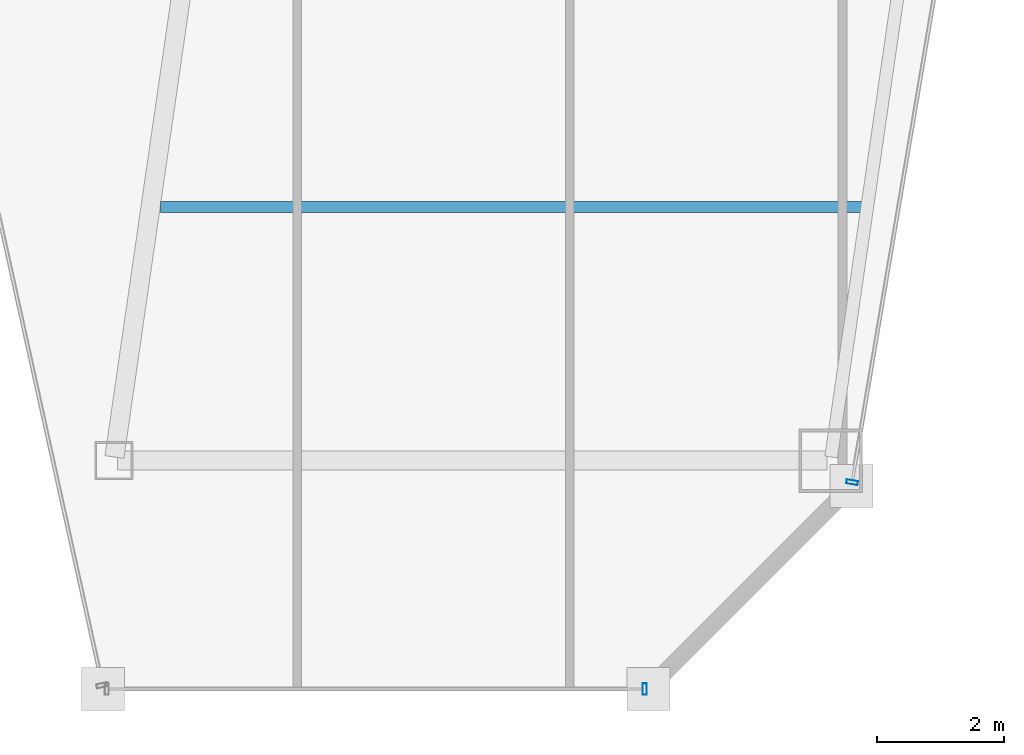
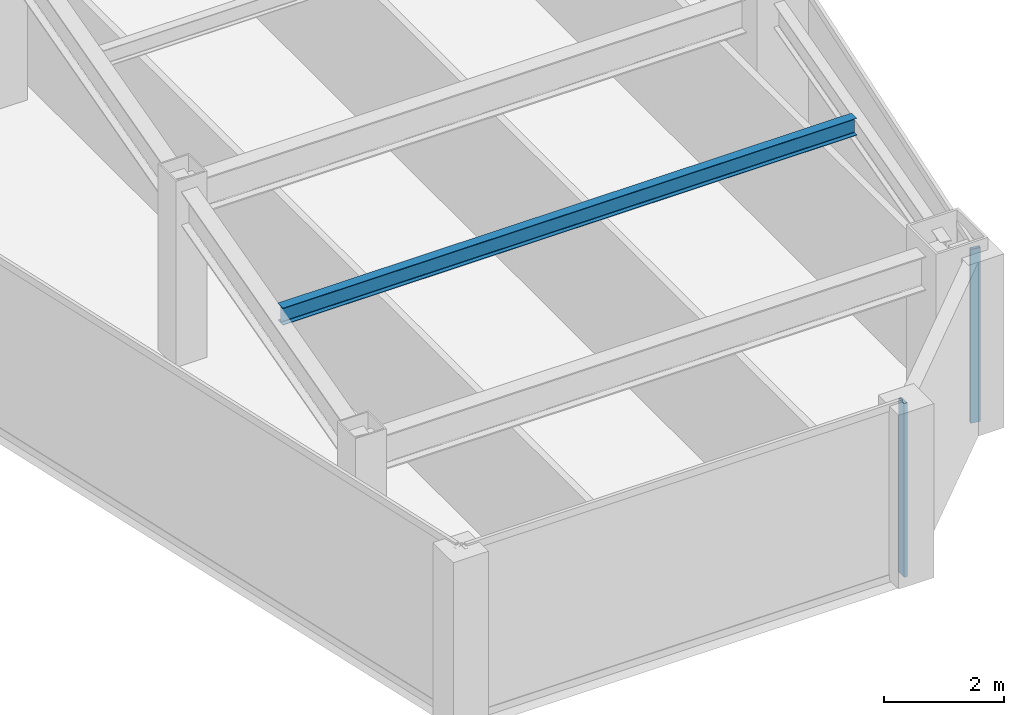
# One storey, part 17 of 35: 2 members, 1 beam, 2 elements without a shape of their own.
"""IFC4 building model written with IfcOpenShell, lengths in metres."""

import ifcopenshell
import ifcopenshell.guid

model = None  # the IFC model being written
_history = None  # IfcOwnerHistory: only IFC2X3 demands one
_inside = {}  # id of a spatial element -> (the spatial element, [elements in it])
_under = {}  # id of a project, library or spatial element -> (it, [spatial elements below it])
_declared = {}  # id of a project -> (the project, [libraries it declares])
_typed = {}  # id of a type object -> (the type object, [elements of that type])
_made_of = {}  # id of a material, layer set ... -> (it, [elements and type objects made of it])


def new_model(schema):
    """Start an empty IFC model of exactly this schema.

    Asked for "IFC4X3", IfcOpenShell would pick the latest addendum, in which some entities
    have other attributes; the version numbers below select the first issue.
    IFC2X3 requires an IfcOwnerHistory on every rooted entity: one is made here for all.
    """
    global model, _history
    if schema == "IFC4X3":
        model = ifcopenshell.file(schema_version=(4, 3, 0, 0))
    else:
        model = ifcopenshell.file(schema=schema)
    _inside.clear()
    _under.clear()
    _declared.clear()
    _typed.clear()
    _made_of.clear()
    _history = None
    if model.schema == "IFC2X3":
        org = make("IfcOrganization", Name="unknown")
        user = make(
            "IfcPersonAndOrganization",
            ThePerson=make("IfcPerson", FamilyName="unknown"),
            TheOrganization=org,
        )
        app = make(
            "IfcApplication",
            ApplicationDeveloper=org,
            Version="unknown",
            ApplicationFullName="unknown",
            ApplicationIdentifier="unknown",
        )
        _history = make(
            "IfcOwnerHistory",
            OwningUser=user,
            OwningApplication=app,
            ChangeAction="ADDED",
            CreationDate=0,
        )
    return model


def make(cls, **values):
    """One entity of the class cls with the attributes given. An attribute that is None is left unset."""
    return model.create_entity(
        cls, **{name: value for name, value in values.items() if value is not None}
    )


def rooted(cls, **values):
    """An entity with a GlobalId (a new one), such as an element, a storey or a relation."""
    return make(cls, GlobalId=ifcopenshell.guid.new(), OwnerHistory=_history, **values)


def si_unit(unit_type, name, prefix=None):
    """IfcSIUnit, for example si_unit("LENGTHUNIT", "METRE", prefix="MILLI")."""
    return make("IfcSIUnit", UnitType=unit_type, Prefix=prefix, Name=name)


def assignment(units):
    """IfcUnitAssignment: the units of a project."""
    return None if units is None else make("IfcUnitAssignment", Units=units)


def point(xyz):
    """IfcCartesianPoint."""
    return None if xyz is None else make("IfcCartesianPoint", Coordinates=xyz)


def direction(xyz):
    """IfcDirection."""
    return None if xyz is None else make("IfcDirection", DirectionRatios=xyz)


def frame(location, z_axis=None, x_axis=None):
    """IfcAxis2Placement3D, a coordinate frame: its origin and axes. An axis left out is left unset."""
    return make(
        "IfcAxis2Placement3D",
        Location=point(location),
        Axis=direction(z_axis),
        RefDirection=direction(x_axis),
    )


def frame_2d(location, x_axis=None):
    """IfcAxis2Placement2D, a coordinate frame in the plane: its origin and x axis."""
    return make(
        "IfcAxis2Placement2D", Location=point(location), RefDirection=direction(x_axis)
    )


def origin():
    """The frame at (0, 0, 0) with its axes left unset."""
    return frame((0.0, 0.0, 0.0))


def origin_2d():
    """The frame at (0, 0) in the plane with its x axis left unset."""
    return frame_2d((0.0, 0.0))


def place(relative_to, where):
    """IfcLocalPlacement: puts the frame where relative to a parent placement (None: the world)."""
    return make(
        "IfcLocalPlacement", PlacementRelTo=relative_to, RelativePlacement=where
    )


def context(
    kind, dimensions, precision=None, world=None, true_north=None, identifier=None
):
    """IfcGeometricRepresentationContext, for example the 3D "Model" context."""
    return make(
        "IfcGeometricRepresentationContext",
        ContextIdentifier=identifier,
        ContextType=kind,
        CoordinateSpaceDimension=dimensions,
        Precision=precision,
        WorldCoordinateSystem=world,
        TrueNorth=true_north,
    )


def subcontext(parent, identifier, kind, view, scale=None):
    """IfcGeometricRepresentationSubContext, for example "Body" below "Model"."""
    return make(
        "IfcGeometricRepresentationSubContext",
        ContextIdentifier=identifier,
        ContextType=kind,
        ParentContext=parent,
        TargetScale=scale,
        TargetView=view,
    )


def project(units=None, contexts=None):
    """IfcProject with its units and contexts."""
    return rooted(
        "IfcProject",
        Name="project",
        RepresentationContexts=contexts,
        UnitsInContext=assignment(units),
    )


def spatial(cls, under=None, at=None, **own):
    """A site, building, storey or space (cls), placed at a placement, below another one or the project."""
    s = rooted(cls, ObjectPlacement=at, **own)
    if under is not None:
        _under.setdefault(under.id(), (under, []))[1].append(s)
    return s


def profile(cls, at=None, kind="AREA", **sizes):
    """A parametric profile (cls). Its sizes go by their IFC names, for example OverallWidth=200.0."""
    return make(cls, ProfileType=kind, Position=at, **sizes)


def hollow_rectangle(**sizes):
    """IfcRectangleHollowProfileDef."""
    return profile("IfcRectangleHollowProfileDef", **sizes)


def i_section(**sizes):
    """IfcIShapeProfileDef."""
    return profile("IfcIShapeProfileDef", **sizes)


def extrude(swept, where, along, depth):
    """IfcExtrudedAreaSolid: the profile swept, set in the frame where, extruded along a direction by depth."""
    return make(
        "IfcExtrudedAreaSolid",
        SweptArea=swept,
        Position=where,
        ExtrudedDirection=direction(along),
        Depth=depth,
    )


def shape(context_of_items, identifier, shape_type, items):
    """IfcShapeRepresentation: the items that make up one representation, for example the "Body"."""
    return make(
        "IfcShapeRepresentation",
        ContextOfItems=context_of_items,
        RepresentationIdentifier=identifier,
        RepresentationType=shape_type,
        Items=items,
    )


def material(Name=None, Category=None):
    """IfcMaterial."""
    return make("IfcMaterial", Name=Name, Category=Category)


def material_profile(
    of_material, cross_section, Name=None, Category=None, Priority=None
):
    """IfcMaterialProfile: a cross section and its material."""
    return make(
        "IfcMaterialProfile",
        Name=Name,
        Material=of_material,
        Profile=cross_section,
        Priority=Priority,
        Category=Category,
    )


def profile_set(profiles, Name=None, composite=None):
    """IfcMaterialProfileSet."""
    return make(
        "IfcMaterialProfileSet",
        Name=Name,
        MaterialProfiles=profiles,
        CompositeProfile=composite,
    )


def made_of(thing, what):
    """Note that an element or type object is made of a material, layer set ...; save() writes the relation."""
    if what is not None:
        _made_of.setdefault(what.id(), (what, []))[1].append(thing)
    return thing


def type_object(cls, material=None, **own):
    """A type object (cls), such as IfcWallType, which elements share."""
    return made_of(rooted(cls, **own), material)


def element(
    cls,
    number,
    at=None,
    inside=None,
    cuts=None,
    type_object=None,
    material=None,
    context=None,
    identifier="Body",
    shape_type=None,
    held_by="IfcProductDefinitionShape",
    body=None,
    shapes=None,
    **own,
):
    """One element of the class cls, such as IfcWall. Its Tag is "e" and its number.

    at: its placement. inside: the storey or other place that contains it. cuts: it is an
    opening in that element (IfcRelVoidsElement). A single representation is given by context,
    identifier, shape_type and body (its items); several are given by shapes. held_by: the class
    of the entity that holds the representations. save() writes the other relations.
    """
    e = rooted(cls, Tag="e%d" % number, ObjectPlacement=at, **own)
    if body is not None:
        shapes = [shape(context, identifier, shape_type, body)]
    if shapes is not None:
        e.Representation = make(held_by, Representations=shapes)
    if inside is not None:
        _inside.setdefault(inside.id(), (inside, []))[1].append(e)
    if cuts is not None:
        rooted(
            "IfcRelVoidsElement", RelatingBuildingElement=cuts, RelatedOpeningElement=e
        )
    if type_object is not None:
        _typed.setdefault(type_object.id(), (type_object, []))[1].append(e)
    return made_of(e, material)


def aggregate(whole, parts):
    """IfcRelAggregates: a whole, such as a stair, and the parts it consists of."""
    return rooted("IfcRelAggregates", RelatingObject=whole, RelatedObjects=parts)


def save(model, path):
    """Write the relations noted so far, then the file.

    IfcRelAggregates (storeys below a building ...), IfcRelContainedInSpatialStructure (elements
    in a storey), IfcRelDefinesByType, IfcRelAssociatesMaterial and IfcRelDeclares: one each for
    every whole, place, type object, material and project.
    """
    for whole, parts in _under.values():
        aggregate(whole, parts)
    for where, things in _inside.values():
        rooted(
            "IfcRelContainedInSpatialStructure",
            RelatedElements=things,
            RelatingStructure=where,
        )
    for kind, things in _typed.values():
        rooted("IfcRelDefinesByType", RelatedObjects=things, RelatingType=kind)
    for what, things in _made_of.values():
        rooted("IfcRelAssociatesMaterial", RelatedObjects=things, RelatingMaterial=what)
    for by, libraries in _declared.values():
        rooted("IfcRelDeclares", RelatingContext=by, RelatedDefinitions=libraries)
    model.write(path)


model = new_model("IFC4")

# Units and contexts
model_context = context("Model", 3, precision=1e-05, world=origin(), true_north=direction((0.0, 1.0)))
body_context = subcontext(model_context, "Body", "Model", "MODEL_VIEW")
ifc_project = project(units=[si_unit("LENGTHUNIT", "METRE"), si_unit("AREAUNIT", "SQUARE_METRE"), si_unit("VOLUMEUNIT", "CUBIC_METRE"), si_unit("PLANEANGLEUNIT", "RADIAN"), si_unit("MASSUNIT", "GRAM", prefix="KILO")], contexts=[model_context])

# Site, building, storey
site_placement = place(None, origin())
site = spatial("IfcSite", under=ifc_project, at=site_placement, CompositionType="ELEMENT")
building_placement = place(site_placement, origin())
building = spatial("IfcBuilding", under=site, at=building_placement, Name="Saevonmaru Cultural Tower", CompositionType="ELEMENT")
storey_placement = place(building_placement, frame((0.0, 0.0, 175.199951171875)))
storey = spatial("IfcBuildingStorey", under=building, at=storey_placement, Name="L39", CompositionType="ELEMENT", Elevation=175.199951171875)

# Beam
ifc_material_1 = material(Name="Steel SM355", Category="steel")
ifc_material_profile_1 = material_profile(ifc_material_1, i_section(OverallWidth=0.175048828125, OverallDepth=0.35009765625, WebThickness=0.007080078125, FlangeThickness=0.010986328125, FilletRadius=0.012939453125, at=origin_2d()), Name="H-350x175x7x11")
ifc_profile_set_1 = profile_set([ifc_material_profile_1], Name="Steel SM355")
beam_type = type_object("IfcBeamType", Name="BM-J-H350", PredefinedType="JOIST", material=ifc_profile_set_1)
beam_placement = place(storey_placement, frame((38.80810546875, 20.0, 3.375), z_axis=(1.0, 0.0, 0.0), x_axis=(0.0, 1.0, 0.0)))
element("IfcBeam", 1, at=beam_placement, inside=storey, type_object=beam_type, Name="L39 East Wing Floor Joist 1", PredefinedType="JOIST", context=body_context, shape_type="SweptSolid", body=[
    extrude(i_section(OverallWidth=0.175048828125, OverallDepth=0.35009765625, WebThickness=0.007080078125, FlangeThickness=0.010986328125, FilletRadius=0.012939453125, at=origin_2d()), origin(), (0.0, 0.0, 1.0), 11.081787109375),
])

# Curtain wall, member
ifc_material_2 = material(Name="Satin Bronze Anodised Aluminium", Category="aluminium")
curtain_wall_type = type_object("IfcCurtainWallType", Name="CW-TYP-B", PredefinedType="NOTDEFINED", material=ifc_material_2)
curtain_wall_1_placement = place(storey_placement, origin())
curtain_wall_1 = element("IfcCurtainWall", 2, at=curtain_wall_1_placement, inside=storey, type_object=curtain_wall_type, Name="L39 Unitised Curtain Wall E6", PredefinedType="NOTDEFINED")
ifc_material_profile_2 = material_profile(ifc_material_2, hollow_rectangle(XDim=0.06494140625, YDim=0.179931640625, WallThickness=0.00390625, at=origin_2d()), Name="ALU-MULL-180x65x4")
ifc_profile_set_2 = profile_set([ifc_material_profile_2], Name="Satin Bronze Anodised Aluminium")
member_type = type_object("IfcMemberType", Name="ML-CW-180x65", PredefinedType="MULLION", material=ifc_profile_set_2)
member_1_placement = place(storey_placement, frame((46.442138671875, 12.39990234375, 0.0), z_axis=(0.0, 0.0, 1.0), x_axis=(1.0, 0.0, 0.0)))
member_1 = element("IfcMember", 3, at=member_1_placement, type_object=member_type, Name="CW-TW-L39-E6 mullion 2", PredefinedType="MULLION", context=body_context, shape_type="SweptSolid", body=[
    extrude(hollow_rectangle(XDim=0.06494140625, YDim=0.179931640625, WallThickness=0.00390625, at=origin_2d()), origin(), (0.0, 0.0, 1.0), 3.550048828125),
])
aggregate(curtain_wall_1, [member_1])

curtain_wall_2_placement = place(storey_placement, origin())
curtain_wall_2 = element("IfcCurtainWall", 4, at=curtain_wall_2_placement, inside=storey, type_object=curtain_wall_type, Name="L39 Unitised Curtain Wall E8", PredefinedType="NOTDEFINED")
member_2_placement = place(storey_placement, frame((49.712158203125, 15.6591796875, 0.0), z_axis=(0.0, 0.0, 1.0), x_axis=(0.16692169721, 0.985970155228, 0.0)))
member_2 = element("IfcMember", 5, at=member_2_placement, type_object=member_type, Name="CW-TW-L39-E8 mullion 1", PredefinedType="MULLION", context=body_context, shape_type="SweptSolid", body=[
    extrude(hollow_rectangle(XDim=0.06494140625, YDim=0.179931640625, WallThickness=0.00390625, at=origin_2d()), origin(), (0.0, 0.0, 1.0), 3.550048828125),
])
aggregate(curtain_wall_2, [member_2])

save(model, "model.ifc")
